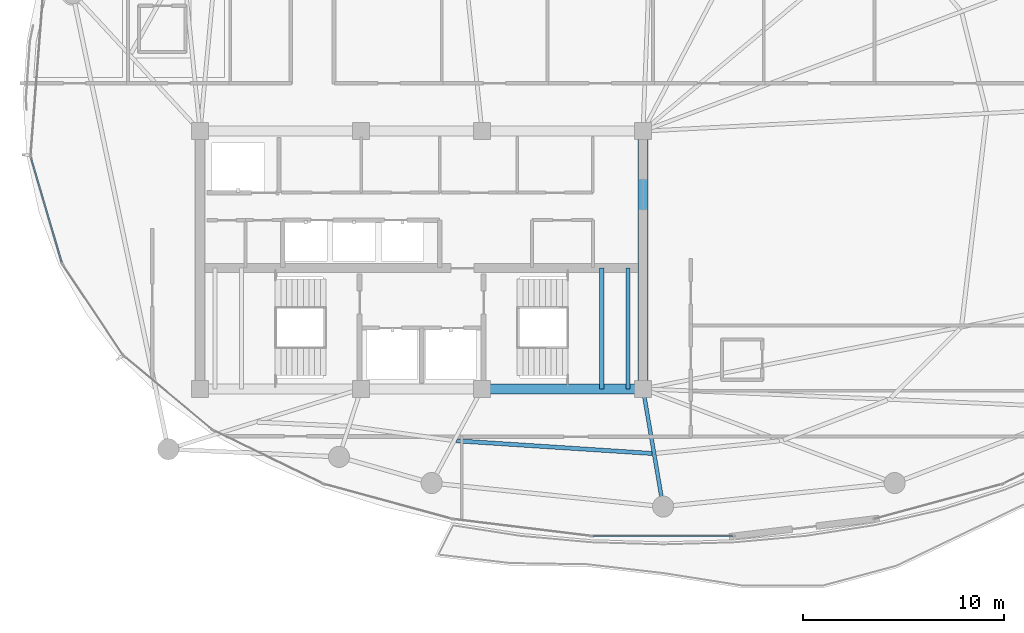
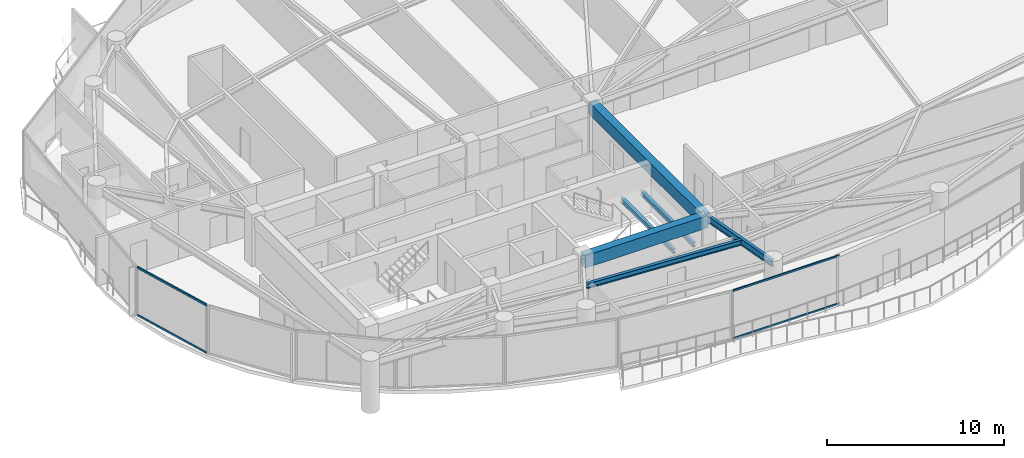
# One storey, part 7 of 31: 6 beams, 4 members, 2 elements without a shape of their own.
"""IFC4 building model written with IfcOpenShell, lengths in metres."""

from ifc_helpers import new_model, si_unit, direction, frame, origin, origin_2d, place, context, subcontext, project, spatial, rectangle, hollow_rectangle, i_section, extrude, material, layer, layer_set, material_profile, profile_set, type_object, element, aggregate, save


model = new_model("IFC4")

# Units and contexts
model_context = context("Model", 3, precision=1e-05, world=origin(), true_north=direction((0.0, 1.0)))
body_context = subcontext(model_context, "Body", "Model", "MODEL_VIEW")
ifc_project = project(units=[si_unit("LENGTHUNIT", "METRE"), si_unit("AREAUNIT", "SQUARE_METRE"), si_unit("VOLUMEUNIT", "CUBIC_METRE"), si_unit("PLANEANGLEUNIT", "RADIAN"), si_unit("MASSUNIT", "GRAM", prefix="KILO")], contexts=[model_context])

# Site, building, storey
site_placement = place(None, origin())
site = spatial("IfcSite", under=ifc_project, at=site_placement, CompositionType="ELEMENT")
building_placement = place(site_placement, origin())
building = spatial("IfcBuilding", under=site, at=building_placement, Name="Kazevale Care Tower and Concert Hall", CompositionType="ELEMENT")
storey_placement = place(building_placement, frame((0.0, 0.0, 217.199951171875)))
storey = spatial("IfcBuildingStorey", under=building, at=storey_placement, Name="L57", CompositionType="ELEMENT", Elevation=217.199951171875)

# Curtain wall, members
ifc_material_1 = material(Name="Aluminium 6063-T6 and Low-E Glass", Category="aluminium")
ifc_layer_1 = layer(ifc_material_1, 0.179931640625)
ifc_layer_set_1 = layer_set([ifc_layer_1], Name="Aluminium 6063-T6 and Low-E Glass")
curtain_wall_type_1 = type_object("IfcCurtainWallType", Name="Waist & Upper Residential Curtain Wall CW-4", PredefinedType="NOTDEFINED", material=ifc_layer_set_1)
curtain_wall_1_placement = place(storey_placement, origin())
curtain_wall_1 = element("IfcCurtainWall", 1, at=curtain_wall_1_placement, inside=storey, type_object=curtain_wall_type_1, Name="cw:L57:f12", PredefinedType="NOTDEFINED")
ifc_material_2 = material(Name="Aluminium 6063-T6", Category="aluminium")
ifc_material_profile_1 = material_profile(ifc_material_2, hollow_rectangle(XDim=0.080078125, YDim=0.139892578125, WallThickness=0.00390625, at=origin_2d()), Name="ALU80x140x4")
ifc_profile_set_1 = profile_set([ifc_material_profile_1], Name="Aluminium 6063-T6")
member_type_1 = type_object("IfcMemberType", Name="CW-4 Transom ALU80x140x4", PredefinedType="USERDEFINED", material=ifc_profile_set_1)
member_1_placement = place(storey_placement, frame((15.12548828125, 29.897705078125, 0.0400390625), z_axis=(-0.282102705943, 0.95938421047, 0.0), x_axis=(-0.95938421047, -0.282102705943, 0.0)))
member_1 = element("IfcMember", 2, at=member_1_placement, type_object=member_type_1, Name="CW-4 transom 1.1", ObjectType="TRANSOM", PredefinedType="USERDEFINED", context=body_context, shape_type="SweptSolid", body=[
    extrude(hollow_rectangle(XDim=0.080078125, YDim=0.139892578125, WallThickness=0.00390625, at=origin_2d()), origin(), (0.0, 0.0, 1.0), 5.402099609375),
])
member_2_placement = place(storey_placement, frame((15.12548828125, 29.897705078125, 3.320068359375), z_axis=(-0.282102705943, 0.95938421047, 0.0), x_axis=(-0.95938421047, -0.282102705943, 0.0)))
member_2 = element("IfcMember", 3, at=member_2_placement, type_object=member_type_1, Name="CW-4 transom 1.2", ObjectType="TRANSOM", PredefinedType="USERDEFINED", context=body_context, shape_type="SweptSolid", body=[
    extrude(hollow_rectangle(XDim=0.080078125, YDim=0.139892578125, WallThickness=0.00390625, at=origin_2d()), origin(), (0.0, 0.0, 1.0), 5.402099609375),
])
aggregate(curtain_wall_1, [member_1, member_2])

ifc_layer_2 = layer(ifc_material_1, 0.179931640625)
ifc_layer_set_2 = layer_set([ifc_layer_2], Name="Aluminium 6063-T6 and Low-E Glass")
curtain_wall_type_2 = type_object("IfcCurtainWallType", Name="Sheltered Concave Balcony Curtain Wall CW-5", PredefinedType="NOTDEFINED", material=ifc_layer_set_2)
curtain_wall_2_placement = place(storey_placement, origin())
curtain_wall_2 = element("IfcCurtainWall", 4, at=curtain_wall_2_placement, inside=storey, type_object=curtain_wall_type_2, Name="cw:L57:f06", PredefinedType="NOTDEFINED")
ifc_material_profile_2 = material_profile(ifc_material_2, hollow_rectangle(XDim=0.074951171875, YDim=0.1201171875, WallThickness=0.00390625, at=origin_2d()), Name="ALU75x120x4")
ifc_profile_set_2 = profile_set([ifc_material_profile_2], Name="Aluminium 6063-T6")
member_type_2 = type_object("IfcMemberType", Name="CW-5 Transom ALU75x120x4", PredefinedType="USERDEFINED", material=ifc_profile_set_2)
member_3_placement = place(storey_placement, frame((48.47509765625, 16.284912109375, 0.03759765625), z_axis=(-1.0, 0.0, 0.0), x_axis=(0.0, -1.0, 0.0)))
member_3 = element("IfcMember", 5, at=member_3_placement, type_object=member_type_2, Name="CW-5 transom 1.1", ObjectType="TRANSOM", PredefinedType="USERDEFINED", context=body_context, shape_type="SweptSolid", body=[
    extrude(hollow_rectangle(XDim=0.074951171875, YDim=0.1201171875, WallThickness=0.00390625, at=origin_2d()), origin(), (0.0, 0.0, 1.0), 6.9501953125),
])
member_4_placement = place(storey_placement, frame((48.47509765625, 16.284912109375, 3.322509765625), z_axis=(-1.0, 0.0, 0.0), x_axis=(0.0, -1.0, 0.0)))
member_4 = element("IfcMember", 6, at=member_4_placement, type_object=member_type_2, Name="CW-5 transom 1.2", ObjectType="TRANSOM", PredefinedType="USERDEFINED", context=body_context, shape_type="SweptSolid", body=[
    extrude(hollow_rectangle(XDim=0.074951171875, YDim=0.1201171875, WallThickness=0.00390625, at=origin_2d()), origin(), (0.0, 0.0, 1.0), 6.9501953125),
])
aggregate(curtain_wall_2, [member_3, member_4])

# Beams
ifc_material_3 = material(Name="Concrete C60", Category="concrete")
ifc_material_profile_3 = material_profile(ifc_material_3, rectangle(XDim=0.5, YDim=0.85009765625, at=origin_2d()), Name="RC-B500x850")
ifc_profile_set_3 = profile_set([ifc_material_profile_3], Name="Concrete C60")
beam_type_1 = type_object("IfcBeamType", Name="Core Coupling Beam RC500x850", PredefinedType="LINTEL", material=ifc_profile_set_3)
beam_1_placement = place(storey_placement, frame((36.0, 23.60009765625, 2.93505859375), z_axis=(1.0, 0.0, 0.0), x_axis=(0.0, 1.0, 0.0)))
element("IfcBeam", 7, at=beam_1_placement, inside=storey, type_object=beam_type_1, Name="beam:L57:coretie:3", PredefinedType="LINTEL", context=body_context, shape_type="SweptSolid", body=[
    extrude(rectangle(XDim=0.5, YDim=0.85009765625, at=origin_2d()), origin(), (0.0, 0.0, 1.0), 8.0),
])
beam_2_placement = place(storey_placement, frame((44.0, 23.60009765625, 2.93505859375), z_axis=(0.0, 1.0, 0.0), x_axis=(-1.0, 0.0, 0.0)))
element("IfcBeam", 8, at=beam_2_placement, inside=storey, type_object=beam_type_1, Name="beam:L57:coretie:4", PredefinedType="LINTEL", context=body_context, shape_type="SweptSolid", body=[
    extrude(rectangle(XDim=0.5, YDim=0.85009765625, at=origin_2d()), origin(), (0.0, 0.0, 1.0), 12.7998046875),
])
ifc_material_4 = material(Name="Steel ASTM A572 Gr 50", Category="steel")
ifc_material_profile_4 = material_profile(ifc_material_4, i_section(OverallWidth=0.19091796875, OverallDepth=0.4599609375, WebThickness=0.010009765625, FlangeThickness=0.01611328125, at=origin_2d()), Name="W460x82")
ifc_profile_set_4 = profile_set([ifc_material_profile_4], Name="Steel ASTM A572 Gr 50")
beam_type_2 = type_object("IfcBeamType", Name="Radial Floor Beam W460x82", PredefinedType="BEAM", material=ifc_profile_set_4)
beam_3_placement = place(storey_placement, frame((44.0, 23.60009765625, 3.130126953125), z_axis=(0.168493389607, -0.985702783631, 0.0), x_axis=(0.985702783631, 0.168493389607, 0.0)))
element("IfcBeam", 9, at=beam_3_placement, inside=storey, type_object=beam_type_2, Name="beam:L57:rad:13", PredefinedType="BEAM", context=body_context, shape_type="SweptSolid", body=[
    extrude(i_section(OverallWidth=0.19091796875, OverallDepth=0.4599609375, WebThickness=0.010009765625, FlangeThickness=0.01611328125, at=origin_2d()), origin(), (0.0, 0.0, 1.0), 5.93505859375),
])
ifc_material_profile_5 = material_profile(ifc_material_4, i_section(OverallWidth=0.205078125, OverallDepth=0.35400390625, WebThickness=0.009521484375, FlangeThickness=0.016845703125, at=origin_2d()), Name="W360x79")
ifc_profile_set_5 = profile_set([ifc_material_profile_5], Name="Steel ASTM A572 Gr 50")
beam_type_3 = type_object("IfcBeamType", Name="Secondary Floor Joist W360x79", PredefinedType="JOIST", material=ifc_profile_set_5)
beam_4_placement = place(storey_placement, frame((34.72998046875, 21.01904296875, 3.18310546875), z_axis=(0.997903161374, -0.064724651559, 0.0), x_axis=(0.064724651559, 0.997903161374, 0.0)))
element("IfcBeam", 10, at=beam_4_placement, inside=storey, type_object=beam_type_3, Name="beam:L57:joist:12", PredefinedType="JOIST", context=body_context, shape_type="SweptSolid", body=[
    extrude(i_section(OverallWidth=0.205078125, OverallDepth=0.35400390625, WebThickness=0.009521484375, FlangeThickness=0.016845703125, at=origin_2d()), origin(), (0.0, 0.0, 1.0), 9.735595703125),
])
ifc_material_profile_6 = material_profile(ifc_material_4, i_section(OverallWidth=0.202880859375, OverallDepth=0.302978515625, WebThickness=0.007568359375, FlangeThickness=0.01318359375, at=origin_2d()), Name="W310x60")
ifc_profile_set_6 = profile_set([ifc_material_profile_6], Name="Steel ASTM A572 Gr 50")
beam_type_4 = type_object("IfcBeamType", Name="Stair & Balcony Trimmer W310x60", PredefinedType="BEAM", material=ifc_profile_set_6)
for number, where, z_axis, x_axis, name in (
    (11, (41.949951171875, 23.60009765625, 1.448486328125), (0.0, 1.0, 0.0), (-1.0, 0.0, 0.0), "beam:L57:sttrim:ST2"),
    (12, (43.25, 23.60009765625, 1.448486328125), (0.0, 1.0, 0.0), (-1.0, 0.0, 0.0), "beam:L57:sttrim:ST2b"),
):
    element("IfcBeam", number, at=place(storey_placement, frame(where, z_axis=z_axis, x_axis=x_axis)), inside=storey, type_object=beam_type_4, Name=name, PredefinedType="BEAM", context=body_context, shape_type="SweptSolid", body=[
        extrude(i_section(OverallWidth=0.202880859375, OverallDepth=0.302978515625, WebThickness=0.007568359375, FlangeThickness=0.01318359375, at=origin_2d()), origin(), (0.0, 0.0, 1.0), 6.0),
    ])

save(model, "model.ifc")
